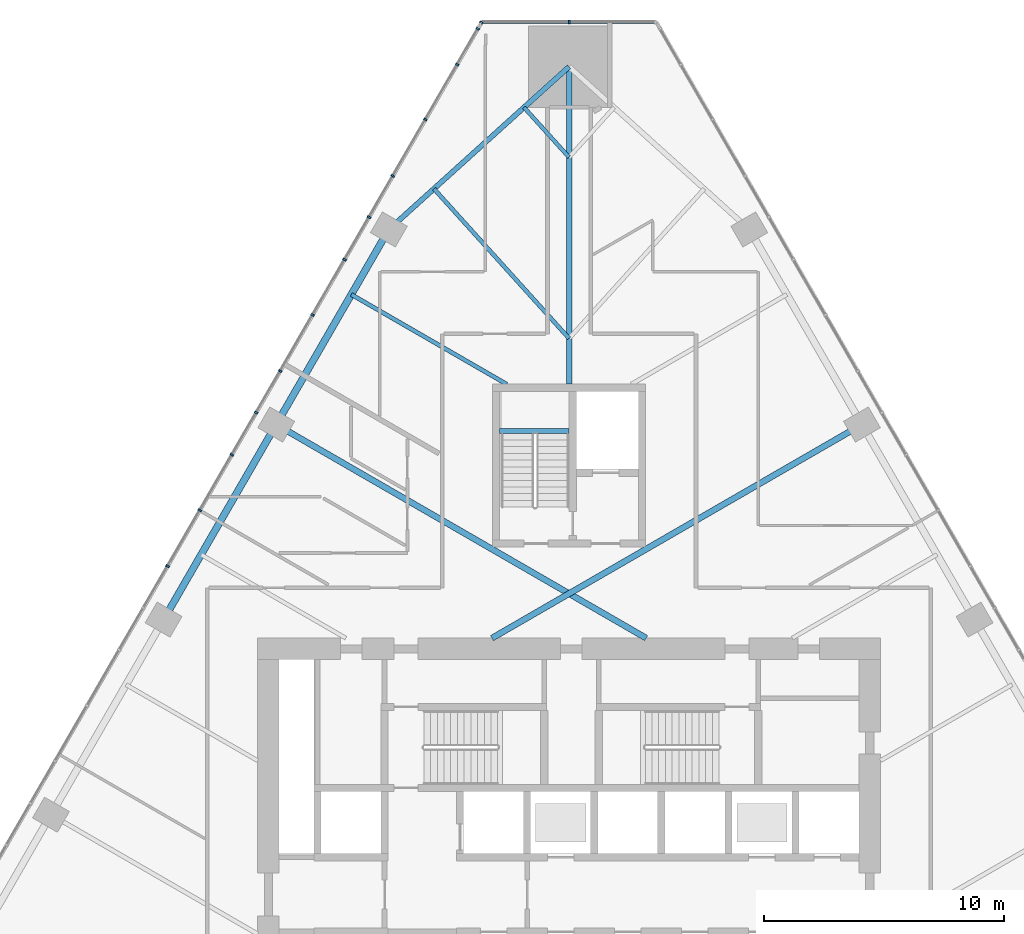
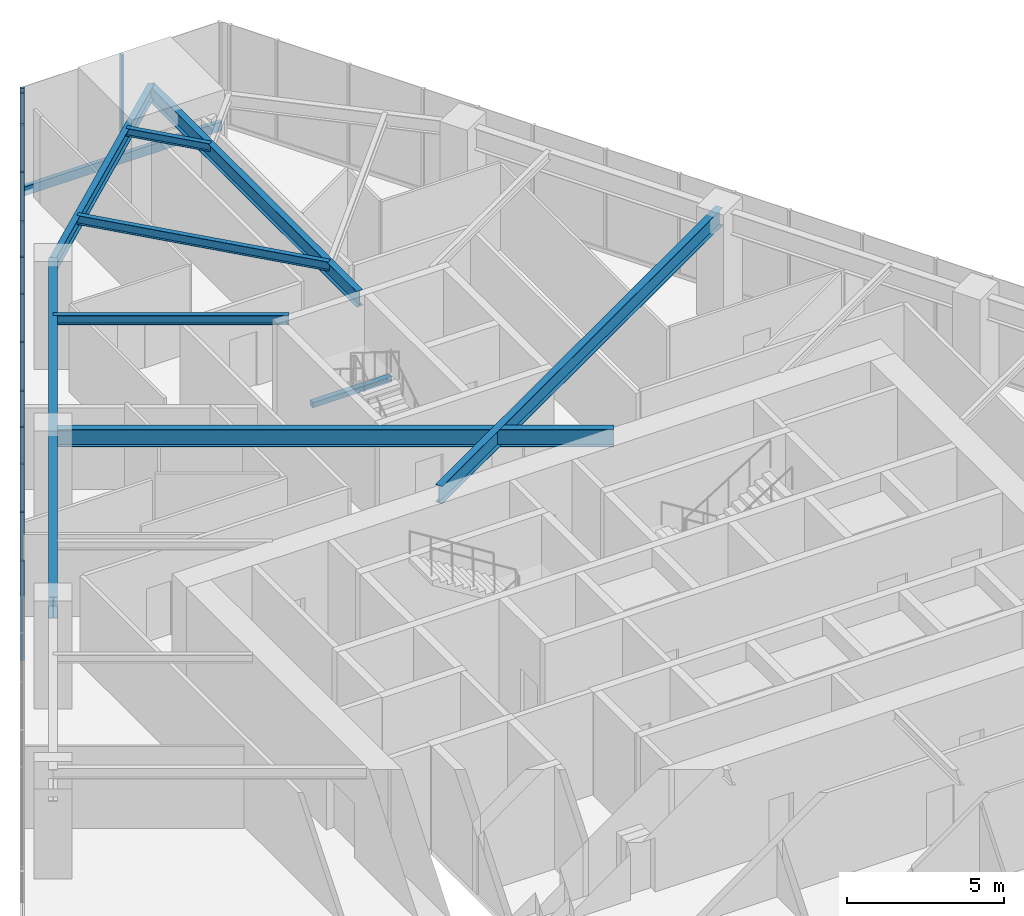
# One storey, part 9 of 21: 15 members, 9 beams, 2 elements without a shape of their own.
"""IFC4 building model written with IfcOpenShell, lengths in metres."""

from ifc_helpers import new_model, si_unit, direction, frame, origin, origin_2d, place, context, subcontext, project, spatial, rectangle, i_section, extrude, material, layer, layer_set, material_profile, profile_set, type_object, element, aggregate, save


model = new_model("IFC4")

# Units and contexts
model_context = context("Model", 3, precision=1e-05, world=origin(), true_north=direction((0.0, 1.0)))
body_context = subcontext(model_context, "Body", "Model", "MODEL_VIEW")
ifc_project = project(units=[si_unit("LENGTHUNIT", "METRE"), si_unit("AREAUNIT", "SQUARE_METRE"), si_unit("VOLUMEUNIT", "CUBIC_METRE"), si_unit("PLANEANGLEUNIT", "RADIAN"), si_unit("MASSUNIT", "GRAM", prefix="KILO")], contexts=[model_context])

# Site, building, storey
site_placement = place(None, origin())
site = spatial("IfcSite", under=ifc_project, at=site_placement, CompositionType="ELEMENT")
building_placement = place(site_placement, origin())
building = spatial("IfcBuilding", under=site, at=building_placement, Name="Firuza Gate Tower and Library", CompositionType="ELEMENT")
storey_placement = place(building_placement, frame((0.0, 0.0, 98.800048828125)))
storey = spatial("IfcBuildingStorey", under=building, at=storey_placement, Name="L22", CompositionType="ELEMENT", Elevation=98.800048828125)

# Curtain wall, member
ifc_material_1 = material(Name="Aluminium 6063-T6", Category="aluminium")
ifc_layer_1 = layer(ifc_material_1, 0.14990234375)
ifc_layer_set_1 = layer_set([ifc_layer_1], Name="Corner curtain wall, chamfers")
curtain_wall_type_1 = type_object("IfcCurtainWallType", Name="Corner curtain wall, chamfers", PredefinedType="NOTDEFINED", material=ifc_layer_set_1)
placement = place(storey_placement, origin())
curtain_wall_1 = element("IfcCurtainWall", 1, at=placement, inside=storey, type_object=curtain_wall_type_1, Name="CW4 L22 N corner", PredefinedType="NOTDEFINED")
ifc_material_2 = material(Name="Aluminium 6063-T6", Category="aluminium")
ifc_material_profile_1 = material_profile(ifc_material_2, rectangle(XDim=0.14990234375, YDim=0.080078125, at=origin_2d()))
ifc_profile_set_1 = profile_set([ifc_material_profile_1], Name="Aluminium 6063-T6")
member_type_1 = type_object("IfcMemberType", Name="Curtain wall mullion 80x150", PredefinedType="MULLION", material=ifc_profile_set_1)
member_1_placement = place(storey_placement, frame((75.0, 109.727783203125, 0.14990234375), z_axis=(0.0, 0.0, 1.0), x_axis=(0.0, -1.0, 0.0)))
member_1 = element("IfcMember", 2, at=member_1_placement, type_object=member_type_1, Name="Mullion", PredefinedType="MULLION", context=body_context, shape_type="SweptSolid", body=[
    extrude(rectangle(XDim=0.14990234375, YDim=0.080078125, at=origin_2d()), origin(), (0.0, 0.0, 1.0), 3.85009765625),
])

# Curtain wall, members
ifc_material_3 = material(Name="Aluminium 6063-T6", Category="aluminium")
ifc_layer_2 = layer(ifc_material_3, 0.14990234375)
ifc_layer_set_2 = layer_set([ifc_layer_2], Name="Unitised curtain wall, offices")
curtain_wall_type_2 = type_object("IfcCurtainWallType", Name="Unitised curtain wall, offices", PredefinedType="NOTDEFINED", material=ifc_layer_set_2)
curtain_wall_2 = element("IfcCurtainWall", 3, at=placement, inside=storey, type_object=curtain_wall_type_2, Name="CW1 L22 W face", PredefinedType="NOTDEFINED")
member_2_placement = place(storey_placement, frame((71.336669921875, 109.693115234375, 0.14990234375), z_axis=(0.0, 0.0, 1.0), x_axis=(0.866025403784, -0.5, 0.0)))
member_2 = element("IfcMember", 4, at=member_2_placement, type_object=member_type_1, Name="Mullion", PredefinedType="MULLION", context=body_context, shape_type="SweptSolid", body=[
    extrude(rectangle(XDim=0.14990234375, YDim=0.080078125, at=origin_2d()), origin(), (0.0, 0.0, 1.0), 3.85009765625),
])
member_3_placement = place(storey_placement, frame((69.002197265625, 105.649658203125, 0.14990234375), z_axis=(0.0, 0.0, 1.0), x_axis=(0.866025403784, -0.5, 0.0)))
member_3 = element("IfcMember", 5, at=member_3_placement, type_object=member_type_1, Name="Mullion", PredefinedType="MULLION", context=body_context, shape_type="SweptSolid", body=[
    extrude(rectangle(XDim=0.14990234375, YDim=0.080078125, at=origin_2d()), origin(), (0.0, 0.0, 1.0), 3.85009765625),
])
member_4_placement = place(storey_placement, frame((66.647705078125, 101.571533203125, 0.14990234375), z_axis=(0.0, 0.0, 1.0), x_axis=(0.866025403784, -0.5, 0.0)))
member_4 = element("IfcMember", 6, at=member_4_placement, type_object=member_type_1, Name="Mullion", PredefinedType="MULLION", context=body_context, shape_type="SweptSolid", body=[
    extrude(rectangle(XDim=0.14990234375, YDim=0.080078125, at=origin_2d()), origin(), (0.0, 0.0, 1.0), 3.85009765625),
])
member_5_placement = place(storey_placement, frame((64.29345703125, 97.49365234375, 0.14990234375), z_axis=(0.0, 0.0, 1.0), x_axis=(0.866025403784, -0.5, 0.0)))
member_5 = element("IfcMember", 7, at=member_5_placement, type_object=member_type_1, Name="Mullion", PredefinedType="MULLION", context=body_context, shape_type="SweptSolid", body=[
    extrude(rectangle(XDim=0.14990234375, YDim=0.080078125, at=origin_2d()), origin(), (0.0, 0.0, 1.0), 3.85009765625),
])
member_6_placement = place(storey_placement, frame((61.93896484375, 93.41552734375, 0.14990234375), z_axis=(0.0, 0.0, 1.0), x_axis=(0.866025403784, -0.5, 0.0)))
member_6 = element("IfcMember", 8, at=member_6_placement, type_object=member_type_1, Name="Mullion", PredefinedType="MULLION", context=body_context, shape_type="SweptSolid", body=[
    extrude(rectangle(XDim=0.14990234375, YDim=0.080078125, at=origin_2d()), origin(), (0.0, 0.0, 1.0), 3.85009765625),
])
member_7_placement = place(storey_placement, frame((59.58447265625, 89.337646484375, 0.14990234375), z_axis=(0.0, 0.0, 1.0), x_axis=(0.866025403784, -0.5, 0.0)))
member_7 = element("IfcMember", 9, at=member_7_placement, type_object=member_type_1, Name="Mullion", PredefinedType="MULLION", context=body_context, shape_type="SweptSolid", body=[
    extrude(rectangle(XDim=0.14990234375, YDim=0.080078125, at=origin_2d()), origin(), (0.0, 0.0, 1.0), 3.85009765625),
])
member_8_placement = place(storey_placement, frame((71.191162109375, 109.44091796875, 0.14990234375), z_axis=(0.0, 0.0, 1.0), x_axis=(0.866025403784, -0.5, 0.0)))
member_8 = element("IfcMember", 10, at=member_8_placement, type_object=member_type_1, Name="Mullion", PredefinedType="MULLION", context=body_context, shape_type="SweptSolid", body=[
    extrude(rectangle(XDim=0.14990234375, YDim=0.080078125, at=origin_2d()), origin(), (0.0, 0.0, 1.0), 3.85009765625),
])
member_9_placement = place(storey_placement, frame((70.32666015625, 107.943603515625, 0.14990234375), z_axis=(0.0, 0.0, 1.0), x_axis=(0.866025403784, -0.5, 0.0)))
member_9 = element("IfcMember", 11, at=member_9_placement, type_object=member_type_1, Name="Mullion", PredefinedType="MULLION", context=body_context, shape_type="SweptSolid", body=[
    extrude(rectangle(XDim=0.14990234375, YDim=0.080078125, at=origin_2d()), origin(), (0.0, 0.0, 1.0), 3.85009765625),
])
member_10_placement = place(storey_placement, frame((67.6416015625, 103.293212890625, 0.14990234375), z_axis=(0.0, 0.0, 1.0), x_axis=(0.866025403784, -0.5, 0.0)))
member_10 = element("IfcMember", 12, at=member_10_placement, type_object=member_type_1, Name="Mullion", PredefinedType="MULLION", context=body_context, shape_type="SweptSolid", body=[
    extrude(rectangle(XDim=0.14990234375, YDim=0.080078125, at=origin_2d()), origin(), (0.0, 0.0, 1.0), 3.85009765625),
])
member_11_placement = place(storey_placement, frame((65.625, 99.800048828125, 0.14990234375), z_axis=(0.0, 0.0, 1.0), x_axis=(0.866025403784, -0.5, 0.0)))
member_11 = element("IfcMember", 13, at=member_11_placement, type_object=member_type_1, Name="Mullion", PredefinedType="MULLION", context=body_context, shape_type="SweptSolid", body=[
    extrude(rectangle(XDim=0.14990234375, YDim=0.080078125, at=origin_2d()), origin(), (0.0, 0.0, 1.0), 3.85009765625),
])
member_12_placement = place(storey_placement, frame((62.93994140625, 95.149658203125, 0.14990234375), z_axis=(0.0, 0.0, 1.0), x_axis=(0.866025403784, -0.5, 0.0)))
member_12 = element("IfcMember", 14, at=member_12_placement, type_object=member_type_1, Name="Mullion", PredefinedType="MULLION", context=body_context, shape_type="SweptSolid", body=[
    extrude(rectangle(XDim=0.14990234375, YDim=0.080078125, at=origin_2d()), origin(), (0.0, 0.0, 1.0), 3.85009765625),
])
member_13_placement = place(storey_placement, frame((60.92333984375, 91.656494140625, 0.14990234375), z_axis=(0.0, 0.0, 1.0), x_axis=(0.866025403784, -0.5, 0.0)))
member_13 = element("IfcMember", 15, at=member_13_placement, type_object=member_type_1, Name="Mullion", PredefinedType="MULLION", context=body_context, shape_type="SweptSolid", body=[
    extrude(rectangle(XDim=0.14990234375, YDim=0.080078125, at=origin_2d()), origin(), (0.0, 0.0, 1.0), 3.85009765625),
])
member_14_placement = place(storey_placement, frame((58.23828125, 87.006103515625, 0.14990234375), z_axis=(0.0, 0.0, 1.0), x_axis=(0.866025403784, -0.5, 0.0)))
member_14 = element("IfcMember", 16, at=member_14_placement, type_object=member_type_1, Name="Mullion", PredefinedType="MULLION", context=body_context, shape_type="SweptSolid", body=[
    extrude(rectangle(XDim=0.14990234375, YDim=0.080078125, at=origin_2d()), origin(), (0.0, 0.0, 1.0), 3.85009765625),
])
aggregate(curtain_wall_2, [member_2, member_3, member_4, member_5, member_6, member_7, member_8, member_9, member_10, member_11, member_12, member_13, member_14])

# Member
ifc_material_4 = material(Name="Aluminium 6063-T6", Category="aluminium")
ifc_material_profile_2 = material_profile(ifc_material_4, rectangle(XDim=0.14990234375, YDim=0.35009765625, at=origin_2d()))
ifc_profile_set_2 = profile_set([ifc_material_profile_2], Name="Aluminium 6063-T6")
member_type_2 = type_object("IfcMemberType", Name="Curtain wall transom 350x150", PredefinedType="USERDEFINED", material=ifc_profile_set_2)
member_15_placement = place(storey_placement, frame((78.643310546875, 109.727783203125, -0.025146484375), z_axis=(-1.0, 0.0, 0.0), x_axis=(0.0, -1.0, 0.0)))
member_15 = element("IfcMember", 17, at=member_15_placement, type_object=member_type_2, Name="Transom", ObjectType="TRANSOM", PredefinedType="USERDEFINED", context=body_context, shape_type="SweptSolid", body=[
    extrude(rectangle(XDim=0.14990234375, YDim=0.35009765625, at=origin_2d()), origin(), (0.0, 0.0, 1.0), 7.28662109375),
])

aggregate(curtain_wall_1, [member_1, member_15])

# Beams
ifc_material_5 = material(Name="Concrete C35/45", Category="concrete")
ifc_material_profile_3 = material_profile(ifc_material_5, rectangle(XDim=0.199951171875, YDim=0.199951171875, at=origin_2d()))
ifc_profile_set_3 = profile_set([ifc_material_profile_3], Name="Concrete C35/45")
beam_type_1 = type_object("IfcBeamType", Name="Stair landing bearer 200x200", PredefinedType="BEAM", material=ifc_profile_set_3)
beam_1_placement = place(storey_placement, frame((75.0, 92.64990234375, 1.800048828125), z_axis=(-1.0, 0.0, 0.0), x_axis=(0.0, -1.0, 0.0)))
element("IfcBeam", 18, at=beam_1_placement, inside=storey, type_object=beam_type_1, Name="Landing bearer L22 stair 3", PredefinedType="BEAM", context=body_context, shape_type="SweptSolid", body=[
    extrude(rectangle(XDim=0.199951171875, YDim=0.199951171875, at=origin_2d()), origin(), (0.0, 0.0, 1.0), 2.89990234375),
])
ifc_material_6 = material(Name="Steel S355", Category="steel")
ifc_material_profile_4 = material_profile(ifc_material_6, i_section(OverallWidth=0.1650390625, OverallDepth=0.31005859375, WebThickness=0.005859375, FlangeThickness=0.009765625, at=origin_2d()))
ifc_profile_set_4 = profile_set([ifc_material_profile_4], Name="Steel S355")
beam_type_2 = type_object("IfcBeamType", Name="W310x39 Floor beam", PredefinedType="JOIST", material=ifc_profile_set_4)
beam_2_placement = place(storey_placement, frame((73.119384765625, 106.154296875, 3.844970703125), z_axis=(0.670256887626, -0.742129169747, 0.0), x_axis=(0.742129169747, 0.670256887626, 0.0)))
element("IfcBeam", 19, at=beam_2_placement, inside=storey, type_object=beam_type_2, Name="Floor beam L22 s70", PredefinedType="JOIST", context=body_context, shape_type="SweptSolid", body=[
    extrude(i_section(OverallWidth=0.1650390625, OverallDepth=0.31005859375, WebThickness=0.005859375, FlangeThickness=0.009765625, at=origin_2d()), origin(), (0.0, 0.0, 1.0), 2.805908203125),
])
ifc_material_7 = material(Name="Steel S355", Category="steel")
ifc_material_profile_5 = material_profile(ifc_material_7, i_section(OverallWidth=0.1708984375, OverallDepth=0.35498046875, WebThickness=0.007080078125, FlangeThickness=0.01171875, at=origin_2d()))
ifc_profile_set_5 = profile_set([ifc_material_profile_5], Name="Steel S355")
beam_type_3 = type_object("IfcBeamType", Name="W360x51 Floor beam", PredefinedType="JOIST", material=ifc_profile_set_5)
beam_3_placement = place(storey_placement, frame((69.3583984375, 102.757568359375, 3.822509765625), z_axis=(0.67024091296, -0.742143597018, 0.0), x_axis=(0.742143597018, 0.67024091296, 0.0)))
element("IfcBeam", 20, at=beam_3_placement, inside=storey, type_object=beam_type_3, Name="Floor beam L22 s71", PredefinedType="JOIST", context=body_context, shape_type="SweptSolid", body=[
    extrude(i_section(OverallWidth=0.1708984375, OverallDepth=0.35498046875, WebThickness=0.007080078125, FlangeThickness=0.01171875, at=origin_2d()), origin(), (0.0, 0.0, 1.0), 8.417236328125),
])
beam_4_placement = place(storey_placement, frame((65.910400390625, 98.3447265625, 3.822509765625), z_axis=(0.866031961729, -0.499988641134, 0.0), x_axis=(0.499988641134, 0.866031961729, 0.0)))
element("IfcBeam", 21, at=beam_4_placement, inside=storey, type_object=beam_type_3, Name="Floor beam L22 s80", PredefinedType="JOIST", context=body_context, shape_type="SweptSolid", body=[
    extrude(i_section(OverallWidth=0.1708984375, OverallDepth=0.35498046875, WebThickness=0.007080078125, FlangeThickness=0.01171875, at=origin_2d()), origin(), (0.0, 0.0, 1.0), 7.489501953125),
])
ifc_material_8 = material(Name="Steel S355", Category="steel")
ifc_material_profile_6 = material_profile(ifc_material_8, i_section(OverallWidth=0.212890625, OverallDepth=0.5390625, WebThickness=0.01171875, FlangeThickness=0.018798828125, at=origin_2d()))
ifc_profile_set_6 = profile_set([ifc_material_profile_6], Name="Steel S355")
beam_type_4 = type_object("IfcBeamType", Name="W530x109 Edge beam", PredefinedType="SPANDREL", material=ifc_profile_set_6)
beam_5_placement = place(storey_placement, frame((75.0, 107.852783203125, 3.73046875), z_axis=(-0.74213008283, -0.670255876632, 0.0), x_axis=(0.670255876632, -0.74213008283, 0.0)))
element("IfcBeam", 22, at=beam_5_placement, inside=storey, type_object=beam_type_4, Name="Edge beam L22 e70", PredefinedType="SPANDREL", context=body_context, shape_type="SweptSolid", body=[
    extrude(i_section(OverallWidth=0.212890625, OverallDepth=0.5390625, WebThickness=0.01171875, FlangeThickness=0.018798828125, at=origin_2d()), origin(), (0.0, 0.0, 1.0), 10.135986328125),
])
ifc_material_9 = material(Name="Steel S355", Category="steel")
ifc_material_profile_7 = material_profile(ifc_material_9, i_section(OverallWidth=0.22802734375, OverallDepth=0.60302734375, WebThickness=0.010498046875, FlangeThickness=0.014892578125, at=origin_2d()))
ifc_profile_set_7 = profile_set([ifc_material_profile_7], Name="Steel S355")
beam_type_5 = type_object("IfcBeamType", Name="W610x101 Girder", PredefinedType="BEAM", material=ifc_profile_set_7)
beam_6_placement = place(storey_placement, frame((75.0, 107.852783203125, 3.698486328125), z_axis=(0.0, -1.0, 0.0), x_axis=(1.0, 0.0, 0.0)))
element("IfcBeam", 23, at=beam_6_placement, inside=storey, type_object=beam_type_5, Name="Girder L22 gN", PredefinedType="BEAM", context=body_context, shape_type="SweptSolid", body=[
    extrude(i_section(OverallWidth=0.22802734375, OverallDepth=0.60302734375, WebThickness=0.010498046875, FlangeThickness=0.014892578125, at=origin_2d()), origin(), (0.0, 0.0, 1.0), 13.252685546875),
])
ifc_material_10 = material(Name="Steel S355", Category="steel")
ifc_material_profile_8 = material_profile(ifc_material_10, i_section(OverallWidth=0.2529296875, OverallDepth=0.677978515625, WebThickness=0.01171875, FlangeThickness=0.016357421875, at=origin_2d()))
ifc_profile_set_8 = profile_set([ifc_material_profile_8], Name="Steel S355")
beam_type_6 = type_object("IfcBeamType", Name="W690x125 Floor beam", PredefinedType="JOIST", material=ifc_profile_set_8)
for number, where, z_axis, x_axis, name in (
    (24, (87.223876953125, 92.91552734375, 3.660888671875), (-0.866025296335, -0.500000186108, 0.0), (0.500000186108, -0.866025296335, 0.0), "Floor beam L22 s54"),
    (25, (62.776123046875, 92.91552734375, 3.660888671875), (0.866025296335, -0.500000186108, 0.0), (0.500000186108, 0.866025296335, 0.0), "Floor beam L22 s81"),
):
    element("IfcBeam", number, at=place(storey_placement, frame(where, z_axis=z_axis, x_axis=x_axis)), inside=storey, type_object=beam_type_6, Name=name, PredefinedType="JOIST", context=body_context, shape_type="SweptSolid", body=[
        extrude(i_section(OverallWidth=0.2529296875, OverallDepth=0.677978515625, WebThickness=0.01171875, FlangeThickness=0.016357421875, at=origin_2d()), origin(), (0.0, 0.0, 1.0), 17.8310546875),
    ])
ifc_material_11 = material(Name="Steel S355", Category="steel")
ifc_material_profile_9 = material_profile(ifc_material_11, i_section(OverallWidth=0.2919921875, OverallDepth=0.8349609375, WebThickness=0.013916015625, FlangeThickness=0.018798828125, at=origin_2d()))
ifc_profile_set_9 = profile_set([ifc_material_profile_9], Name="Steel S355")
beam_type_7 = type_object("IfcBeamType", Name="W840x176 Edge beam", PredefinedType="SPANDREL", material=ifc_profile_set_9)
beam_7_placement = place(storey_placement, frame((67.477783203125, 101.05908203125, 3.58251953125), z_axis=(-0.499998138849, -0.866026478318, 0.0), x_axis=(0.866026478318, -0.499998138849, 0.0)))
element("IfcBeam", 26, at=beam_7_placement, inside=storey, type_object=beam_type_7, Name="Edge beam L22 e80", PredefinedType="SPANDREL", context=body_context, shape_type="SweptSolid", body=[
    extrude(i_section(OverallWidth=0.2919921875, OverallDepth=0.8349609375, WebThickness=0.013916015625, FlangeThickness=0.018798828125, at=origin_2d()), origin(), (0.0, 0.0, 1.0), 18.806640625),
])

save(model, "model.ifc")
